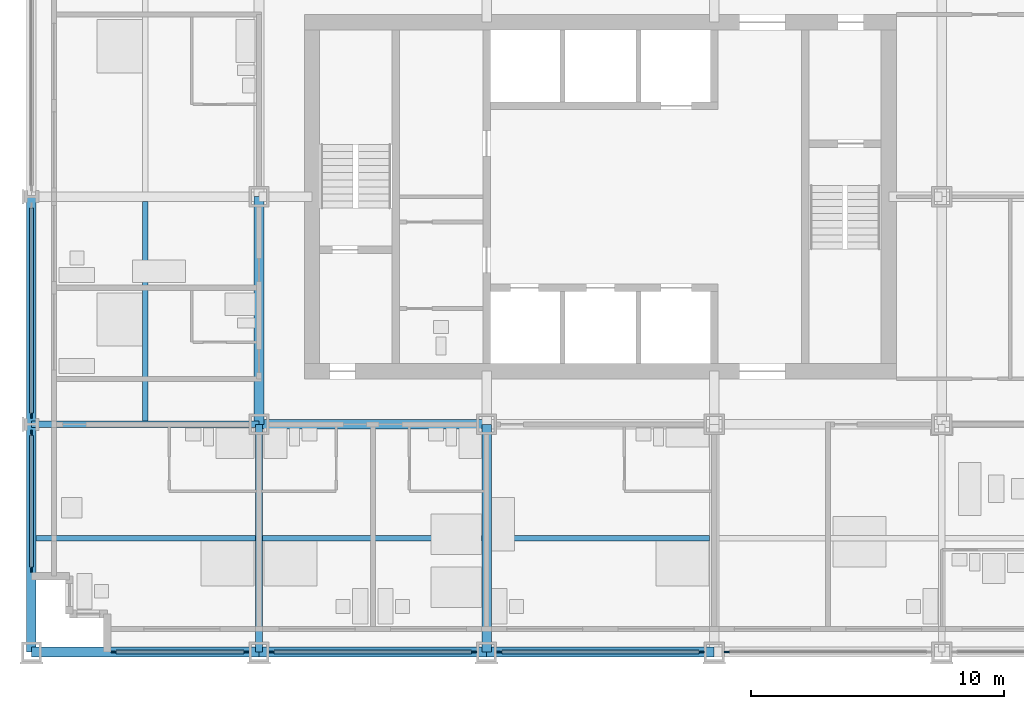
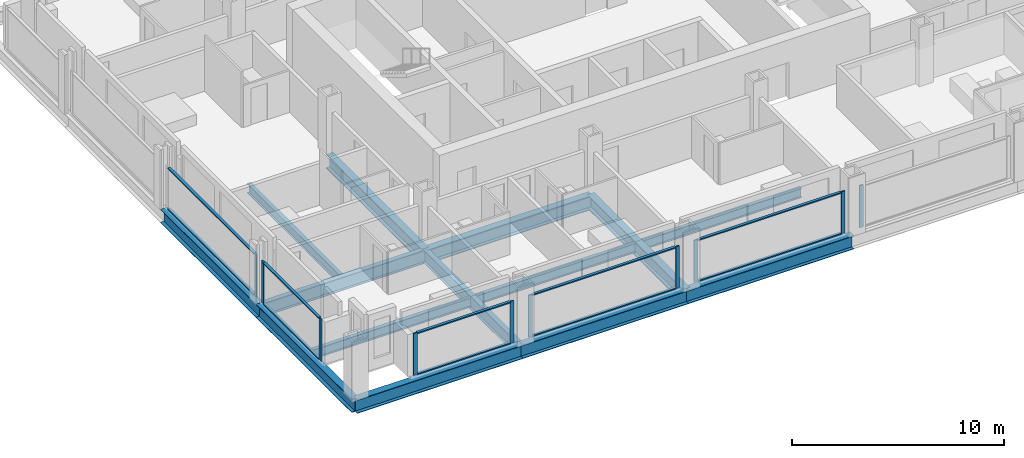
# One storey, part 2 of 18: 20 members, 14 beams, 6 elements without a shape of their own.
"""IFC4 building model written with IfcOpenShell, lengths in metres."""

from ifc_helpers import new_model, si_unit, direction, frame, origin, origin_2d, place, context, subcontext, project, spatial, rectangle, i_section, extrude, material, material_profile, profile_set, type_object, element, aggregate, save


model = new_model("IFC4")

# Units and contexts
model_context = context("Model", 3, precision=1e-05, world=origin(), true_north=direction((0.0, 1.0)))
body_context = subcontext(model_context, "Body", "Model", "MODEL_VIEW")
ifc_project = project(units=[si_unit("LENGTHUNIT", "METRE"), si_unit("AREAUNIT", "SQUARE_METRE"), si_unit("VOLUMEUNIT", "CUBIC_METRE"), si_unit("PLANEANGLEUNIT", "RADIAN"), si_unit("MASSUNIT", "GRAM", prefix="KILO")], contexts=[model_context])

# Site, building, storey
site_placement = place(None, origin())
site = spatial("IfcSite", under=ifc_project, at=site_placement, CompositionType="ELEMENT")
building_placement = place(site_placement, origin())
building = spatial("IfcBuilding", under=site, at=building_placement, Name="Loomwork Tower", CompositionType="ELEMENT")
storey_placement = place(building_placement, frame((0.0, 0.0, 38.199951171875)))
storey = spatial("IfcBuildingStorey", under=building, at=storey_placement, Name="L08", CompositionType="ELEMENT", Elevation=38.199951171875)

# Beams
ifc_material_1 = material(Name="Steel ASTM A992", Category="steel")
ifc_material_profile_1 = material_profile(ifc_material_1, i_section(OverallWidth=0.383544921875, OverallDepth=0.794921875, WebThickness=0.02099609375, FlangeThickness=0.0380859375, at=origin_2d()), Name="W30x235")
ifc_profile_set_1 = profile_set([ifc_material_profile_1], Name="Steel ASTM A992")
beam_type_1 = type_object("IfcBeamType", Name="CORE FLANK GIRDER W30x235", PredefinedType="BEAM", material=ifc_profile_set_1)
for number, where, z_axis, x_axis, name in (
    (1, (9.0, 9.0, -0.597412109375), (1.0, 0.0, 0.0), (0.0, 1.0, 0.0), "Core Flank Girder E/3-E/4 L08"),
    (2, (9.0, 9.0, -0.597412109375), (0.0, 1.0, 0.0), (-1.0, 0.0, 0.0), "Core Flank Girder E/3-F/3 L08"),
    (3, (18.0, 0.0, -0.597412109375), (0.0, 1.0, 0.0), (-1.0, 0.0, 0.0), "Core Flank Girder D/4-E/4 L08"),
):
    element("IfcBeam", number, at=place(storey_placement, frame(where, z_axis=z_axis, x_axis=x_axis)), inside=storey, type_object=beam_type_1, Name=name, PredefinedType="BEAM", context=body_context, shape_type="SweptSolid", body=[
        extrude(i_section(OverallWidth=0.383544921875, OverallDepth=0.794921875, WebThickness=0.02099609375, FlangeThickness=0.0380859375, at=origin_2d()), origin(), (0.0, 0.0, 1.0), 9.0),
    ])
ifc_material_2 = material(Name="Steel ASTM A992", Category="steel")
ifc_material_profile_2 = material_profile(ifc_material_2, i_section(OverallWidth=0.2666015625, OverallDepth=0.761962890625, WebThickness=0.014404296875, FlangeThickness=0.021484375, at=origin_2d()), Name="W30x116")
ifc_profile_set_2 = profile_set([ifc_material_profile_2], Name="Steel ASTM A992")
beam_type_2 = type_object("IfcBeamType", Name="FLOOR GIRDER W30x116", PredefinedType="BEAM", material=ifc_profile_set_2)
for number, where, z_axis, x_axis, name in (
    (4, (0.0, 9.0, -0.5810546875), (1.0, 0.0, 0.0), (0.0, 1.0, 0.0), "Floor Girder E/2-E/3 L08"),
    (5, (9.0, 0.0, -0.5810546875), (0.0, 1.0, 0.0), (-1.0, 0.0, 0.0), "Floor Girder D/3-E/3 L08"),
):
    element("IfcBeam", number, at=place(storey_placement, frame(where, z_axis=z_axis, x_axis=x_axis)), inside=storey, type_object=beam_type_2, Name=name, PredefinedType="BEAM", context=body_context, shape_type="SweptSolid", body=[
        extrude(i_section(OverallWidth=0.2666015625, OverallDepth=0.761962890625, WebThickness=0.014404296875, FlangeThickness=0.021484375, at=origin_2d()), origin(), (0.0, 0.0, 1.0), 9.0),
    ])
ifc_material_3 = material(Name="Steel ASTM A992", Category="steel")
ifc_material_profile_3 = material_profile(ifc_material_3, i_section(OverallWidth=0.2109375, OverallDepth=0.53857421875, WebThickness=0.011474609375, FlangeThickness=0.018798828125, at=origin_2d()), Name="W21x73")
ifc_profile_set_3 = profile_set([ifc_material_profile_3], Name="Steel ASTM A992")
beam_type_3 = type_object("IfcBeamType", Name="FLOOR JOIST W21x73", PredefinedType="JOIST", material=ifc_profile_set_3)
beam_1_placement = place(storey_placement, frame((0.18994140625, 4.5, -0.46923828125), z_axis=(1.0, 0.0, 0.0), x_axis=(0.0, 1.0, 0.0)))
element("IfcBeam", 6, at=beam_1_placement, inside=storey, type_object=beam_type_3, Name="Floor Joist 0.000,4.500-9.000,4.500 L08", PredefinedType="JOIST", context=body_context, shape_type="SweptSolid", body=[
    extrude(i_section(OverallWidth=0.2109375, OverallDepth=0.53857421875, WebThickness=0.011474609375, FlangeThickness=0.018798828125, at=origin_2d()), origin(), (0.0, 0.0, 1.0), 8.677001953125),
])
for number, where, z_axis, x_axis, name in (
    (7, (4.5, 9.133056640625, -0.46923828125), (0.0, 1.0, 0.0), (-1.0, 0.0, 0.0), "Floor Joist 4.500,9.000-4.500,18.000 L08"),
    (8, (9.133056640625, 4.5, -0.46923828125), (1.0, 0.0, 0.0), (0.0, 1.0, 0.0), "Floor Joist 9.000,4.500-18.000,4.500 L08"),
):
    element("IfcBeam", number, at=place(storey_placement, frame(where, z_axis=z_axis, x_axis=x_axis)), inside=storey, type_object=beam_type_3, Name=name, PredefinedType="JOIST", context=body_context, shape_type="SweptSolid", body=[
        extrude(i_section(OverallWidth=0.2109375, OverallDepth=0.53857421875, WebThickness=0.011474609375, FlangeThickness=0.018798828125, at=origin_2d()), origin(), (0.0, 0.0, 1.0), 8.676025390625),
    ])
beam_2_placement = place(storey_placement, frame((18.19091796875, 4.5, -0.46923828125), z_axis=(1.0, 0.0, 0.0), x_axis=(0.0, 1.0, 0.0)))
element("IfcBeam", 9, at=beam_2_placement, inside=storey, type_object=beam_type_3, Name="Floor Joist 18.000,4.500-27.000,4.500 L08", PredefinedType="JOIST", context=body_context, shape_type="SweptSolid", body=[
    extrude(i_section(OverallWidth=0.2109375, OverallDepth=0.53857421875, WebThickness=0.011474609375, FlangeThickness=0.018798828125, at=origin_2d()), origin(), (0.0, 0.0, 1.0), 8.6181640625),
])

# Curtain wall, members
ifc_material_4 = material(Name="Aluminium curtain wall frame", Category="aluminium")
curtain_wall_type = type_object("IfcCurtainWallType", Name="Outer skin glazing hotel", PredefinedType="NOTDEFINED", material=ifc_material_4)
curtain_wall_1_placement = place(storey_placement, origin())
curtain_wall_1 = element("IfcCurtainWall", 10, at=curtain_wall_1_placement, inside=storey, type_object=curtain_wall_type, Name="Outer skin glazing hotel cw/S-0", PredefinedType="NOTDEFINED")
ifc_material_5 = material(Name="Aluminium curtain wall frame", Category="aluminium")
ifc_material_profile_4 = material_profile(ifc_material_5, rectangle(XDim=0.06494140625, YDim=0.199951171875, at=origin_2d()), Name="AL 65x200")
ifc_profile_set_4 = profile_set([ifc_material_profile_4], Name="Aluminium curtain wall frame")
member_type_1 = type_object("IfcMemberType", Name="Outer skin glazing hotel mullion", PredefinedType="MULLION", material=ifc_profile_set_4)
member_1_placement = place(storey_placement, frame((3.25, 0.0, 0.0), z_axis=(0.0, 0.0, 1.0), x_axis=(0.0, 1.0, 0.0)))
member_1 = element("IfcMember", 11, at=member_1_placement, type_object=member_type_1, Name="CW1 mullion 1", PredefinedType="MULLION", context=body_context, shape_type="SweptSolid", body=[
    extrude(rectangle(XDim=0.06494140625, YDim=0.199951171875, at=origin_2d()), origin(), (0.0, 0.0, 1.0), 2.420166015625),
])
member_2_placement = place(storey_placement, frame((8.5, 0.0, 0.0), z_axis=(0.0, 0.0, 1.0), x_axis=(0.0, 1.0, 0.0)))
member_2 = element("IfcMember", 12, at=member_2_placement, type_object=member_type_1, Name="CW1 mullion 2", PredefinedType="MULLION", context=body_context, shape_type="SweptSolid", body=[
    extrude(rectangle(XDim=0.06494140625, YDim=0.199951171875, at=origin_2d()), origin(), (0.0, 0.0, 1.0), 2.420166015625),
])

curtain_wall_2_placement = place(storey_placement, origin())
curtain_wall_2 = element("IfcCurtainWall", 13, at=curtain_wall_2_placement, inside=storey, type_object=curtain_wall_type, Name="Outer skin glazing hotel cw/S-9", PredefinedType="NOTDEFINED")
member_3_placement = place(storey_placement, frame((9.5, 0.0, 0.0), z_axis=(0.0, 0.0, 1.0), x_axis=(0.0, 1.0, 0.0)))
member_3 = element("IfcMember", 14, at=member_3_placement, type_object=member_type_1, Name="CW1 mullion 1", PredefinedType="MULLION", context=body_context, shape_type="SweptSolid", body=[
    extrude(rectangle(XDim=0.06494140625, YDim=0.199951171875, at=origin_2d()), origin(), (0.0, 0.0, 1.0), 2.420166015625),
])
member_4_placement = place(storey_placement, frame((17.5, 0.0, 0.0), z_axis=(0.0, 0.0, 1.0), x_axis=(0.0, 1.0, 0.0)))
member_4 = element("IfcMember", 15, at=member_4_placement, type_object=member_type_1, Name="CW1 mullion 2", PredefinedType="MULLION", context=body_context, shape_type="SweptSolid", body=[
    extrude(rectangle(XDim=0.06494140625, YDim=0.199951171875, at=origin_2d()), origin(), (0.0, 0.0, 1.0), 2.420166015625),
])

curtain_wall_3_placement = place(storey_placement, origin())
curtain_wall_3 = element("IfcCurtainWall", 16, at=curtain_wall_3_placement, inside=storey, type_object=curtain_wall_type, Name="Outer skin glazing hotel cw/S-18", PredefinedType="NOTDEFINED")
member_5_placement = place(storey_placement, frame((18.5, 0.0, 0.0), z_axis=(0.0, 0.0, 1.0), x_axis=(0.0, 1.0, 0.0)))
member_5 = element("IfcMember", 17, at=member_5_placement, type_object=member_type_1, Name="CW1 mullion 1", PredefinedType="MULLION", context=body_context, shape_type="SweptSolid", body=[
    extrude(rectangle(XDim=0.06494140625, YDim=0.199951171875, at=origin_2d()), origin(), (0.0, 0.0, 1.0), 2.420166015625),
])
member_6_placement = place(storey_placement, frame((26.5, 0.0, 0.0), z_axis=(0.0, 0.0, 1.0), x_axis=(0.0, 1.0, 0.0)))
member_6 = element("IfcMember", 18, at=member_6_placement, type_object=member_type_1, Name="CW1 mullion 2", PredefinedType="MULLION", context=body_context, shape_type="SweptSolid", body=[
    extrude(rectangle(XDim=0.06494140625, YDim=0.199951171875, at=origin_2d()), origin(), (0.0, 0.0, 1.0), 2.420166015625),
])

# Curtain wall, member
curtain_wall_4_placement = place(storey_placement, origin())
curtain_wall_4 = element("IfcCurtainWall", 19, at=curtain_wall_4_placement, inside=storey, type_object=curtain_wall_type, Name="Outer skin glazing hotel cw/S-27", PredefinedType="NOTDEFINED")
member_7_placement = place(storey_placement, frame((27.5, 0.0, 0.0), z_axis=(0.0, 0.0, 1.0), x_axis=(0.0, 1.0, 0.0)))
member_7 = element("IfcMember", 20, at=member_7_placement, type_object=member_type_1, Name="CW1 mullion 1", PredefinedType="MULLION", context=body_context, shape_type="SweptSolid", body=[
    extrude(rectangle(XDim=0.06494140625, YDim=0.199951171875, at=origin_2d()), origin(), (0.0, 0.0, 1.0), 2.420166015625),
])
aggregate(curtain_wall_4, [member_7])

# Curtain wall, members
curtain_wall_5_placement = place(storey_placement, origin())
curtain_wall_5 = element("IfcCurtainWall", 21, at=curtain_wall_5_placement, inside=storey, type_object=curtain_wall_type, Name="Outer skin glazing hotel cw/W-0", PredefinedType="NOTDEFINED")
member_8_placement = place(storey_placement, frame((0.0, 8.6611328125, 0.0), z_axis=(0.0, 0.0, 1.0), x_axis=(1.0, 0.0, 0.0)))
member_8 = element("IfcMember", 22, at=member_8_placement, type_object=member_type_1, Name="CW1 mullion 1", PredefinedType="MULLION", context=body_context, shape_type="SweptSolid", body=[
    extrude(rectangle(XDim=0.06494140625, YDim=0.199951171875, at=origin_2d()), origin(), (0.0, 0.0, 1.0), 2.420166015625),
])
member_9_placement = place(storey_placement, frame((0.0, 3.25, 0.0), z_axis=(0.0, 0.0, 1.0), x_axis=(1.0, 0.0, 0.0)))
member_9 = element("IfcMember", 23, at=member_9_placement, type_object=member_type_1, Name="CW1 mullion 2", PredefinedType="MULLION", context=body_context, shape_type="SweptSolid", body=[
    extrude(rectangle(XDim=0.06494140625, YDim=0.199951171875, at=origin_2d()), origin(), (0.0, 0.0, 1.0), 2.420166015625),
])

# Curtain wall, member
curtain_wall_6_placement = place(storey_placement, origin())
curtain_wall_6 = element("IfcCurtainWall", 24, at=curtain_wall_6_placement, inside=storey, type_object=curtain_wall_type, Name="Outer skin glazing hotel cw/W-9", PredefinedType="NOTDEFINED")
member_10_placement = place(storey_placement, frame((0.0, 9.3388671875, 0.0), z_axis=(0.0, 0.0, 1.0), x_axis=(1.0, 0.0, 0.0)))
member_10 = element("IfcMember", 25, at=member_10_placement, type_object=member_type_1, Name="CW1 mullion 2", PredefinedType="MULLION", context=body_context, shape_type="SweptSolid", body=[
    extrude(rectangle(XDim=0.06494140625, YDim=0.199951171875, at=origin_2d()), origin(), (0.0, 0.0, 1.0), 2.420166015625),
])

# Member
ifc_material_6 = material(Name="Aluminium curtain wall frame", Category="aluminium")
ifc_material_profile_5 = material_profile(ifc_material_6, rectangle(XDim=0.14990234375, YDim=0.06494140625, at=origin_2d()), Name="AL 65x150")
ifc_profile_set_5 = profile_set([ifc_material_profile_5], Name="Aluminium curtain wall frame")
member_type_2 = type_object("IfcMemberType", Name="Outer skin glazing hotel transom", PredefinedType="USERDEFINED", material=ifc_profile_set_5)
member_11_placement = place(storey_placement, frame((3.35009765625, 0.0, 0.032470703125), z_axis=(1.0, 0.0, 0.0), x_axis=(0.0, 1.0, 0.0)))
member_11 = element("IfcMember", 26, at=member_11_placement, type_object=member_type_2, Name="CW1 transom 1.1", ObjectType="TRANSOM", PredefinedType="USERDEFINED", context=body_context, shape_type="SweptSolid", body=[
    extrude(rectangle(XDim=0.14990234375, YDim=0.06494140625, at=origin_2d()), origin(), (0.0, 0.0, 1.0), 5.0498046875),
])

member_12_placement = place(storey_placement, frame((3.35009765625, 0.0, 2.3876953125), z_axis=(1.0, 0.0, 0.0), x_axis=(0.0, 1.0, 0.0)))
member_12 = element("IfcMember", 27, at=member_12_placement, type_object=member_type_2, Name="CW1 transom 1.2", ObjectType="TRANSOM", PredefinedType="USERDEFINED", context=body_context, shape_type="SweptSolid", body=[
    extrude(rectangle(XDim=0.14990234375, YDim=0.06494140625, at=origin_2d()), origin(), (0.0, 0.0, 1.0), 5.0498046875),
])

aggregate(curtain_wall_1, [member_1, member_2, member_11, member_12])

member_13_placement = place(storey_placement, frame((9.60009765625, 0.0, 0.032470703125), z_axis=(1.0, 0.0, 0.0), x_axis=(0.0, 1.0, 0.0)))
member_13 = element("IfcMember", 28, at=member_13_placement, type_object=member_type_2, Name="CW1 transom 1.1", ObjectType="TRANSOM", PredefinedType="USERDEFINED", context=body_context, shape_type="SweptSolid", body=[
    extrude(rectangle(XDim=0.14990234375, YDim=0.06494140625, at=origin_2d()), origin(), (0.0, 0.0, 1.0), 7.7998046875),
])

member_14_placement = place(storey_placement, frame((9.60009765625, 0.0, 2.3876953125), z_axis=(1.0, 0.0, 0.0), x_axis=(0.0, 1.0, 0.0)))
member_14 = element("IfcMember", 29, at=member_14_placement, type_object=member_type_2, Name="CW1 transom 1.2", ObjectType="TRANSOM", PredefinedType="USERDEFINED", context=body_context, shape_type="SweptSolid", body=[
    extrude(rectangle(XDim=0.14990234375, YDim=0.06494140625, at=origin_2d()), origin(), (0.0, 0.0, 1.0), 7.7998046875),
])

aggregate(curtain_wall_2, [member_3, member_4, member_13, member_14])

member_15_placement = place(storey_placement, frame((18.60009765625, 0.0, 0.032470703125), z_axis=(1.0, 0.0, 0.0), x_axis=(0.0, 1.0, 0.0)))
member_15 = element("IfcMember", 30, at=member_15_placement, type_object=member_type_2, Name="CW1 transom 1.1", ObjectType="TRANSOM", PredefinedType="USERDEFINED", context=body_context, shape_type="SweptSolid", body=[
    extrude(rectangle(XDim=0.14990234375, YDim=0.06494140625, at=origin_2d()), origin(), (0.0, 0.0, 1.0), 7.7998046875),
])

member_16_placement = place(storey_placement, frame((18.60009765625, 0.0, 2.3876953125), z_axis=(1.0, 0.0, 0.0), x_axis=(0.0, 1.0, 0.0)))
member_16 = element("IfcMember", 31, at=member_16_placement, type_object=member_type_2, Name="CW1 transom 1.2", ObjectType="TRANSOM", PredefinedType="USERDEFINED", context=body_context, shape_type="SweptSolid", body=[
    extrude(rectangle(XDim=0.14990234375, YDim=0.06494140625, at=origin_2d()), origin(), (0.0, 0.0, 1.0), 7.7998046875),
])

aggregate(curtain_wall_3, [member_5, member_6, member_15, member_16])

member_17_placement = place(storey_placement, frame((0.0, 8.561279296875, 0.032470703125), z_axis=(0.0, -1.0, 0.0), x_axis=(1.0, 0.0, 0.0)))
member_17 = element("IfcMember", 32, at=member_17_placement, type_object=member_type_2, Name="CW1 transom 1.1", ObjectType="TRANSOM", PredefinedType="USERDEFINED", context=body_context, shape_type="SweptSolid", body=[
    extrude(rectangle(XDim=0.14990234375, YDim=0.06494140625, at=origin_2d()), origin(), (0.0, 0.0, 1.0), 5.211181640625),
])

member_18_placement = place(storey_placement, frame((0.0, 8.561279296875, 2.3876953125), z_axis=(0.0, -1.0, 0.0), x_axis=(1.0, 0.0, 0.0)))
member_18 = element("IfcMember", 33, at=member_18_placement, type_object=member_type_2, Name="CW1 transom 1.2", ObjectType="TRANSOM", PredefinedType="USERDEFINED", context=body_context, shape_type="SweptSolid", body=[
    extrude(rectangle(XDim=0.14990234375, YDim=0.06494140625, at=origin_2d()), origin(), (0.0, 0.0, 1.0), 5.211181640625),
])

aggregate(curtain_wall_5, [member_8, member_9, member_17, member_18])

member_19_placement = place(storey_placement, frame((0.0, 17.561279296875, 0.032470703125), z_axis=(0.0, -1.0, 0.0), x_axis=(1.0, 0.0, 0.0)))
member_19 = element("IfcMember", 34, at=member_19_placement, type_object=member_type_2, Name="CW1 transom 1.1", ObjectType="TRANSOM", PredefinedType="USERDEFINED", context=body_context, shape_type="SweptSolid", body=[
    extrude(rectangle(XDim=0.14990234375, YDim=0.06494140625, at=origin_2d()), origin(), (0.0, 0.0, 1.0), 8.12255859375),
])

member_20_placement = place(storey_placement, frame((0.0, 17.561279296875, 2.3876953125), z_axis=(0.0, -1.0, 0.0), x_axis=(1.0, 0.0, 0.0)))
member_20 = element("IfcMember", 35, at=member_20_placement, type_object=member_type_2, Name="CW1 transom 1.2", ObjectType="TRANSOM", PredefinedType="USERDEFINED", context=body_context, shape_type="SweptSolid", body=[
    extrude(rectangle(XDim=0.14990234375, YDim=0.06494140625, at=origin_2d()), origin(), (0.0, 0.0, 1.0), 8.12255859375),
])

aggregate(curtain_wall_6, [member_10, member_19, member_20])

# Beams
ifc_material_7 = material(Name="Steel ASTM A992", Category="steel")
ifc_material_profile_6 = material_profile(ifc_material_7, i_section(OverallWidth=0.381103515625, OverallDepth=0.77978515625, WebThickness=0.01806640625, FlangeThickness=0.0302734375, at=origin_2d()), Name="W30x191")
ifc_profile_set_6 = profile_set([ifc_material_profile_6], Name="Steel ASTM A992")
beam_type_4 = type_object("IfcBeamType", Name="SPANDREL GIRDER W30x191", PredefinedType="SPANDREL", material=ifc_profile_set_6)
for number, where, z_axis, x_axis, name in (
    (36, (0.0, 0.0, -0.58984375), (1.0, 0.0, 0.0), (0.0, 1.0, 0.0), "Spandrel Girder D/2-D/3 L08"),
    (37, (9.0, 0.0, -0.58984375), (1.0, 0.0, 0.0), (0.0, 1.0, 0.0), "Spandrel Girder D/3-D/4 L08"),
    (38, (18.0, 0.0, -0.58984375), (1.0, 0.0, 0.0), (0.0, 1.0, 0.0), "Spandrel Girder D/4-D/5 L08"),
    (39, (0.0, 0.0, -0.58984375), (0.0, 1.0, 0.0), (-1.0, 0.0, 0.0), "Spandrel Girder D/2-E/2 L08"),
    (40, (0.0, 9.0, -0.58984375), (0.0, 1.0, 0.0), (-1.0, 0.0, 0.0), "Spandrel Girder E/2-F/2 L08"),
):
    element("IfcBeam", number, at=place(storey_placement, frame(where, z_axis=z_axis, x_axis=x_axis)), inside=storey, type_object=beam_type_4, Name=name, PredefinedType="SPANDREL", context=body_context, shape_type="SweptSolid", body=[
        extrude(i_section(OverallWidth=0.381103515625, OverallDepth=0.77978515625, WebThickness=0.01806640625, FlangeThickness=0.0302734375, at=origin_2d()), origin(), (0.0, 0.0, 1.0), 9.0),
    ])

save(model, "model.ifc")
